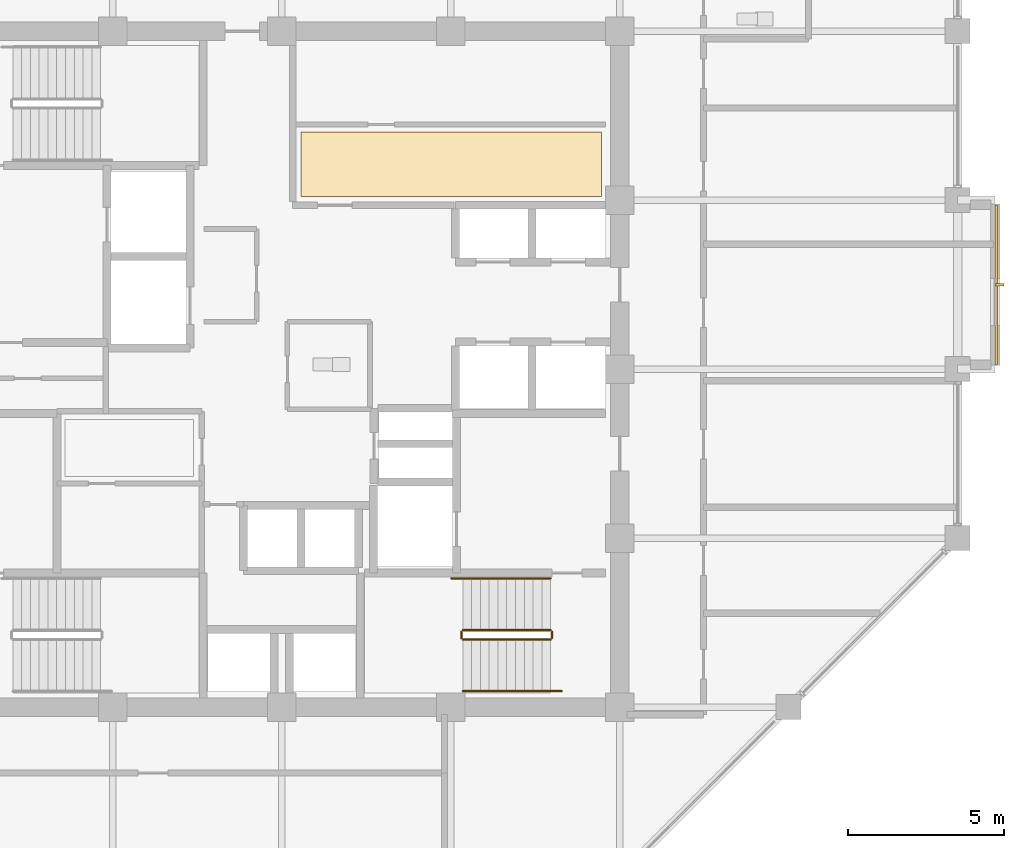
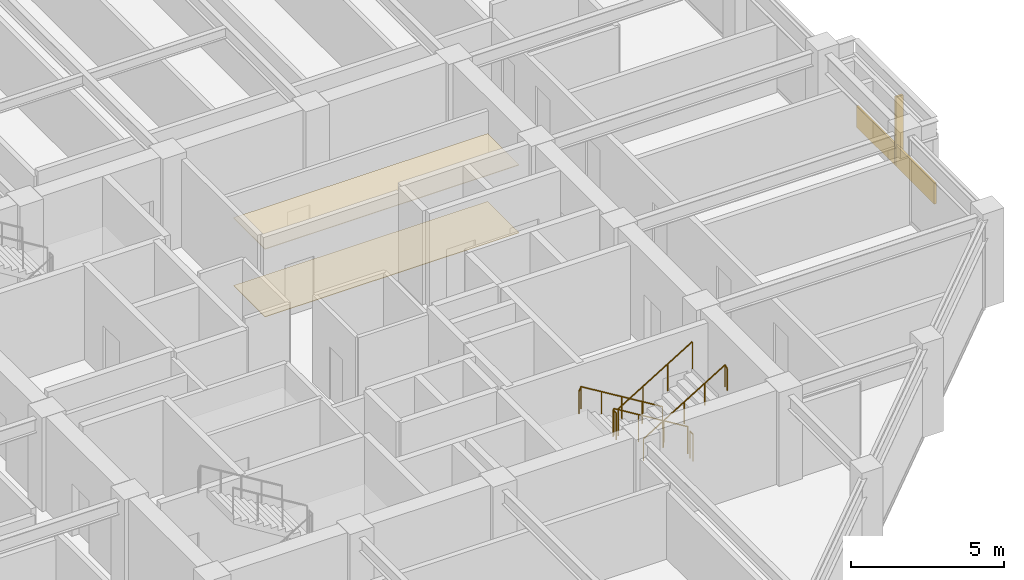
# One storey, part 27 of 28: 6 railings, 3 coverings, 1 shading device.
"""IFC4 building model written with IfcOpenShell, lengths in metres."""

from ifc_helpers import new_model, si_unit, direction, frame, origin, origin_2d, place, context, subcontext, project, spatial, polyline, rectangle, circle, outline, extrude, material, layer, layer_set, type_object, element, save


model = new_model("IFC4")

# Units and contexts
model_context = context("Model", 3, precision=1e-05, world=origin(), true_north=direction((0.0, 1.0)))
body_context = subcontext(model_context, "Body", "Model", "MODEL_VIEW")
ifc_project = project(units=[si_unit("LENGTHUNIT", "METRE"), si_unit("AREAUNIT", "SQUARE_METRE"), si_unit("VOLUMEUNIT", "CUBIC_METRE"), si_unit("PLANEANGLEUNIT", "RADIAN"), si_unit("MASSUNIT", "GRAM", prefix="KILO")], contexts=[model_context])

# Site, building, storey
site_placement = place(None, origin())
site = spatial("IfcSite", under=ifc_project, at=site_placement, CompositionType="ELEMENT")
building_placement = place(site_placement, origin())
building = spatial("IfcBuilding", under=site, at=building_placement, Name="Surkhivell Harbour Commons", CompositionType="ELEMENT")
storey_placement = place(building_placement, frame((0.0, 0.0, 246.0)))
storey = spatial("IfcBuildingStorey", under=building, at=storey_placement, Name="L64", CompositionType="ELEMENT", Elevation=246.0)

# Coverings
ifc_material_1 = material(Name="Perforated acoustic mineral-fibre ceiling tile", Category="other")
ifc_layer_1 = layer(ifc_material_1, 0.02490234375)
ifc_layer_set_1 = layer_set([ifc_layer_1], Name="Perforated acoustic mineral-fibre ceiling tile")
covering_type_1 = type_object("IfcCoveringType", Name="COV-CEIL-AC", PredefinedType="CEILING", material=ifc_layer_set_1)
covering_1_placement = place(storey_placement, frame((0.0, 0.0, 2.705078125)))
element("IfcCovering", 1, at=covering_1_placement, inside=storey, type_object=covering_type_1, Name="L64 Suspended Acoustic Ceiling 1", PredefinedType="CEILING", context=body_context, shape_type="SweptSolid", body=[
    extrude(outline(polyline([(0.6201171875, 5.52001953125), (10.219970703125, 5.52001953125), (10.219970703125, 7.580078125), (0.6201171875, 7.580078125), (0.6201171875, 5.52001953125)])), origin(), (0.0, 0.0, 1.0), 0.02490234375),
])
ifc_material_2 = material(Name="Vermilion-coral enamelled aluminium cassette panel", Category="aluminium")
ifc_layer_2 = layer(ifc_material_2, 0.074951171875)
ifc_layer_set_2 = layer_set([ifc_layer_2], Name="Vermilion-coral enamelled aluminium cassette panel")
covering_type_2 = type_object("IfcCoveringType", Name="COV-CLAD-VER", PredefinedType="CLADDING", material=ifc_layer_set_2)
covering_2_placement = place(storey_placement, frame((22.840087890625, 2.699951171875, 0.0), z_axis=(0.0, 0.0, 1.0), x_axis=(1.0, 0.0, 0.0)))
element("IfcCovering", 2, at=covering_2_placement, inside=storey, type_object=covering_type_2, Name="L64 Coloured-Panel Box Spandrel Cassette 01", PredefinedType="CLADDING", context=body_context, shape_type="SweptSolid", body=[
    extrude(rectangle(XDim=0.080078125, YDim=5.10009765625, at=origin_2d()), origin(), (0.0, 0.0, 1.0), 0.840087890625),
])
ifc_material_3 = material(Name="Engineered acoustic oak timber flooring", Category="wood")
ifc_layer_3 = layer(ifc_material_3, 0.02001953125)
ifc_layer_set_3 = layer_set([ifc_layer_3], Name="Engineered acoustic oak timber flooring")
covering_type_3 = type_object("IfcCoveringType", Name="COV-FLR-TIM", PredefinedType="FLOORING", material=ifc_layer_set_3)
covering_3_placement = place(storey_placement, origin())
element("IfcCovering", 3, at=covering_3_placement, inside=storey, type_object=covering_type_3, Name="L64 Interior Floor Finish 1", PredefinedType="FLOORING", context=body_context, shape_type="SweptSolid", body=[
    extrude(outline(polyline([(0.6201171875, 5.52001953125), (10.219970703125, 5.52001953125), (10.219970703125, 7.580078125), (0.6201171875, 7.580078125), (0.6201171875, 5.52001953125)])), origin(), (0.0, 0.0, 1.0), 0.02001953125),
])

# Railings
ifc_material_4 = material(Name="Galvanised and painted steel S355 guard rail", Category="steel")
railing_type_1 = type_object("IfcRailingType", Name="RAL-ST-GRD1100", PredefinedType="GUARDRAIL", material=ifc_material_4)
railing_1_placement = place(storey_placement, frame((8.590087890625, -8.340087890625, 0.17041015625)))
element("IfcRailing", 4, at=railing_1_placement, inside=storey, type_object=railing_type_1, Name="L64 ST2 stair guard 1", PredefinedType="GUARDRAIL", context=body_context, shape_type="SweptSolid", body=[
    extrude(circle(Radius=0.02392578125, at=origin_2d()), frame((0.0, 0.0, 1.076171875), z_axis=(-0.854169791009, 0.0, 0.51999420009), x_axis=(0.0, -1.0, 0.0)), (0.0, 0.0, 1.0), 3.278076171875),
    extrude(circle(Radius=0.02099609375, at=origin_2d()), origin(), (0.0, 0.0, 1.0), 1.052001953125),
    extrude(circle(Radius=0.02099609375, at=origin_2d()), frame((-0.933349609375, 0.0, 0.568115234375)), (0.0, 0.0, 1.0), 1.052001953125),
    extrude(circle(Radius=0.02099609375, at=origin_2d()), frame((-1.86669921875, 0.0, 1.136474609375)), (0.0, 0.0, 1.0), 1.052001953125),
    extrude(circle(Radius=0.02099609375, at=origin_2d()), frame((-2.800048828125, 0.0, 1.70458984375)), (0.0, 0.0, 1.0), 1.052001953125),
])
railing_2_placement = place(storey_placement, frame((5.739990234375, -8.389892578125, 1.875)))
element("IfcRailing", 5, at=railing_2_placement, inside=storey, type_object=railing_type_1, Name="L64 ST2 stair guard 2", PredefinedType="GUARDRAIL", context=body_context, shape_type="SweptSolid", body=[
    extrude(circle(Radius=0.02392578125, at=origin_2d()), frame((0.0, 0.0, 1.076171875), z_axis=(0.0, -1.0, 0.0), x_axis=(1.0, 0.0, 0.0)), (0.0, 0.0, 1.0), 0.2001953125),
    extrude(circle(Radius=0.02099609375, at=origin_2d()), origin(), (0.0, 0.0, 1.0), 1.052001953125),
    extrude(circle(Radius=0.02099609375, at=origin_2d()), frame((0.0, -0.2001953125, 0.0)), (0.0, 0.0, 1.0), 1.052001953125),
])
railing_3_placement = place(storey_placement, frame((5.7900390625, -8.639892578125, 2.04541015625)))
element("IfcRailing", 6, at=railing_3_placement, inside=storey, type_object=railing_type_1, Name="L64 ST2 stair guard 3", PredefinedType="GUARDRAIL", context=body_context, shape_type="SweptSolid", body=[
    extrude(circle(Radius=0.02392578125, at=origin_2d()), frame((0.0, 0.0, 1.076171875), z_axis=(0.854169791009, 0.0, 0.51999420009), x_axis=(0.0, 1.0, 0.0)), (0.0, 0.0, 1.0), 3.278076171875),
    extrude(circle(Radius=0.02099609375, at=origin_2d()), origin(), (0.0, 0.0, 1.0), 1.052001953125),
    extrude(circle(Radius=0.02099609375, at=origin_2d()), frame((0.933349609375, 0.0, 0.568115234375)), (0.0, 0.0, 1.0), 1.052001953125),
    extrude(circle(Radius=0.02099609375, at=origin_2d()), frame((1.86669921875, 0.0, 1.136474609375)), (0.0, 0.0, 1.0), 1.052001953125),
    extrude(circle(Radius=0.02099609375, at=origin_2d()), frame((2.800048828125, 0.0, 1.70458984375)), (0.0, 0.0, 1.0), 1.052001953125),
])
railing_4_placement = place(storey_placement, frame((8.639892578125, -8.389892578125, 0.0)))
element("IfcRailing", 7, at=railing_4_placement, inside=storey, type_object=railing_type_1, Name="L64 ST2 stair guard 4", PredefinedType="GUARDRAIL", context=body_context, shape_type="SweptSolid", body=[
    extrude(circle(Radius=0.02392578125, at=origin_2d()), frame((0.0, 0.0, 1.076171875), z_axis=(0.0, -1.0, 0.0), x_axis=(1.0, 0.0, 0.0)), (0.0, 0.0, 1.0), 0.2001953125),
    extrude(circle(Radius=0.02099609375, at=origin_2d()), origin(), (0.0, 0.0, 1.0), 1.052001953125),
    extrude(circle(Radius=0.02099609375, at=origin_2d()), frame((0.0, -0.2001953125, 0.0)), (0.0, 0.0, 1.0), 1.052001953125),
])
ifc_material_5 = material(Name="Brushed stainless steel S355 handrail", Category="steel")
railing_type_2 = type_object("IfcRailingType", Name="RAL-ST-HND900", PredefinedType="HANDRAIL", material=ifc_material_5)
railing_5_placement = place(storey_placement, frame((8.590087890625, -6.68994140625, 0.17041015625)))
element("IfcRailing", 8, at=railing_5_placement, inside=storey, type_object=railing_type_2, Name="L64 ST2 stair handrail 1", PredefinedType="HANDRAIL", context=body_context, shape_type="SweptSolid", body=[
    extrude(circle(Radius=0.02392578125, at=origin_2d()), frame((0.0, 0.0, 0.8759765625), z_axis=(-0.854177636135, 0.0, 0.519981313056), x_axis=(0.0, -1.0, 0.0)), (0.0, 0.0, 1.0), 3.60595703125),
    extrude(circle(Radius=0.02392578125, at=origin_2d()), frame((-3.080078125, 0.0, 2.7509765625), z_axis=(-0.425297416671, 0.0, -0.905053648892), x_axis=(0.0, -1.0, 0.0)), (0.0, 0.0, 1.0), 0.188232421875),
    extrude(circle(Radius=0.02099609375, at=origin_2d()), origin(), (0.0, 0.0, 1.0), 0.851806640625),
    extrude(circle(Radius=0.02099609375, at=origin_2d()), frame((-0.77001953125, 0.0, 0.46875)), (0.0, 0.0, 1.0), 0.851806640625),
    extrude(circle(Radius=0.02099609375, at=origin_2d()), frame((-1.5400390625, 0.0, 0.9375)), (0.0, 0.0, 1.0), 0.851806640625),
    extrude(circle(Radius=0.02099609375, at=origin_2d()), frame((-2.31005859375, 0.0, 1.40625)), (0.0, 0.0, 1.0), 0.851806640625),
    extrude(circle(Radius=0.02099609375, at=origin_2d()), frame((-3.080078125, 0.0, 1.875)), (0.0, 0.0, 1.0), 0.851806640625),
    extrude(circle(Radius=0.02099609375, at=origin_2d()), frame((-3.16015625, 0.0, 1.70458984375)), (0.0, 0.0, 1.0), 0.851806640625),
])
railing_6_placement = place(storey_placement, frame((5.7900390625, -10.2900390625, 2.04541015625)))
element("IfcRailing", 9, at=railing_6_placement, inside=storey, type_object=railing_type_2, Name="L64 ST2 stair handrail 2", PredefinedType="HANDRAIL", context=body_context, shape_type="SweptSolid", body=[
    extrude(circle(Radius=0.02392578125, at=origin_2d()), frame((0.0, 0.0, 0.8759765625), z_axis=(0.854177636135, 0.0, 0.519981313056), x_axis=(0.0, 1.0, 0.0)), (0.0, 0.0, 1.0), 3.60595703125),
    extrude(circle(Radius=0.02392578125, at=origin_2d()), frame((3.080078125, 0.0, 2.7509765625), z_axis=(0.424234432967, 0.0, -0.905552398199), x_axis=(0.0, 1.0, 0.0)), (0.0, 0.0, 1.0), 0.188232421875),
    extrude(circle(Radius=0.02099609375, at=origin_2d()), origin(), (0.0, 0.0, 1.0), 0.851806640625),
    extrude(circle(Radius=0.02099609375, at=origin_2d()), frame((0.77001953125, 0.0, 0.46875)), (0.0, 0.0, 1.0), 0.851806640625),
    extrude(circle(Radius=0.02099609375, at=origin_2d()), frame((1.5400390625, 0.0, 0.9375)), (0.0, 0.0, 1.0), 0.851806640625),
    extrude(circle(Radius=0.02099609375, at=origin_2d()), frame((2.31005859375, 0.0, 1.40625)), (0.0, 0.0, 1.0), 0.851806640625),
    extrude(circle(Radius=0.02099609375, at=origin_2d()), frame((3.080078125, 0.0, 1.875)), (0.0, 0.0, 1.0), 0.851806640625),
    extrude(circle(Radius=0.02099609375, at=origin_2d()), frame((3.159912109375, 0.0, 1.70458984375)), (0.0, 0.0, 1.0), 0.851806640625),
])

# Shading device
ifc_material_6 = material(Name="Champagne anodised aluminium solar fin", Category="aluminium")
shading_device_type = type_object("IfcShadingDeviceType", Name="SHD-FIN-SLIM", PredefinedType="USERDEFINED", material=ifc_material_6)
shading_device_placement = place(storey_placement, frame((22.93994140625, 2.699951171875, 0.0048828125), z_axis=(0.0, 0.0, 1.0), x_axis=(1.0, 0.0, 0.0)))
element("IfcShadingDevice", 10, at=shading_device_placement, inside=storey, type_object=shading_device_type, Name="L64 Coloured-Box Solar Fin 01", ObjectType="FIN", PredefinedType="USERDEFINED", context=body_context, shape_type="SweptSolid", body=[
    extrude(rectangle(XDim=0.280029296875, YDim=0.080078125, at=origin_2d()), origin(), (0.0, 0.0, 1.0), 2.75),
])

save(model, "model.ifc")
